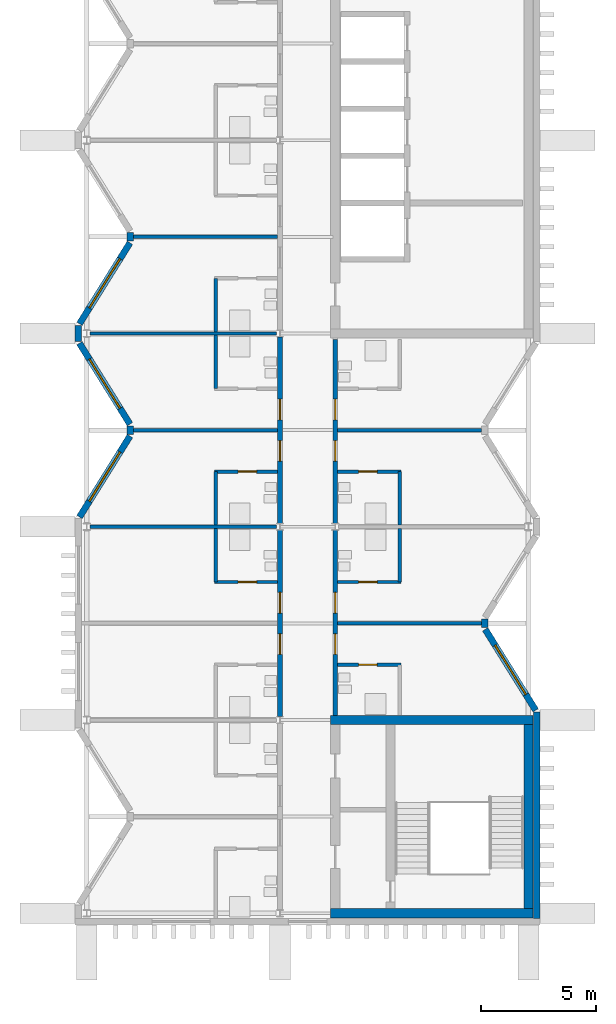
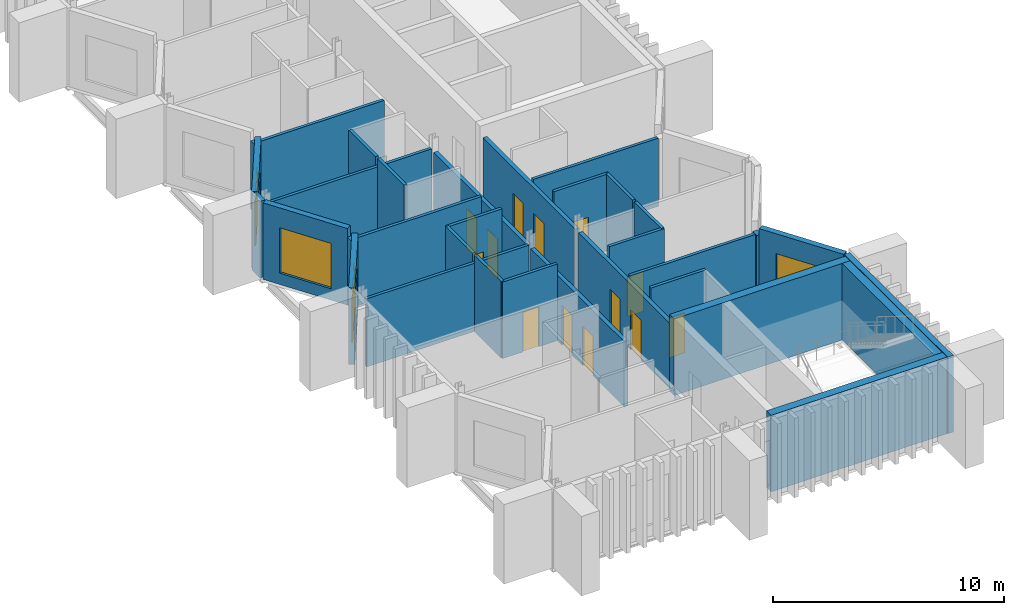
# One storey, part 5 of 11: 33 walls, 13 doors, 4 windows, 17 openings.
"""IFC4 building model written with IfcOpenShell, lengths in metres."""

from ifc_helpers import new_model, si_unit, direction, frame, frame_2d, origin, place, context, subcontext, project, spatial, rectangle, extrude, material, layer, layer_set, type_object, element, fill, save


model = new_model("IFC4")

# Units and contexts
model_context = context("Model", 3, precision=1e-05, world=origin(), true_north=direction((0.0, 1.0)))
body_context = subcontext(model_context, "Body", "Model", "MODEL_VIEW")
ifc_project = project(units=[si_unit("LENGTHUNIT", "METRE"), si_unit("AREAUNIT", "SQUARE_METRE"), si_unit("VOLUMEUNIT", "CUBIC_METRE"), si_unit("PLANEANGLEUNIT", "RADIAN"), si_unit("MASSUNIT", "GRAM", prefix="KILO")], contexts=[model_context])

# Site, building, storey
site_placement = place(None, origin())
site = spatial("IfcSite", under=ifc_project, at=site_placement, CompositionType="ELEMENT")
building_placement = place(site_placement, origin())
building = spatial("IfcBuilding", under=site, at=building_placement, Name="Cresset Court Congress Hotel", CompositionType="ELEMENT")
storey_placement = place(building_placement, frame((0.0, 0.0, 52.199951171875)))
storey = spatial("IfcBuildingStorey", under=building, at=storey_placement, Name="L12", CompositionType="ELEMENT", Elevation=52.199951171875)

# Wall, openings, doors
ifc_material_1 = material(Name="Gypsum board partition")
ifc_layer_1 = layer(ifc_material_1, 0.199951171875)
ifc_layer_set_1 = layer_set([ifc_layer_1], Name="Corridor wall 200")
wall_type_1 = type_object("IfcWallType", Name="Corridor wall 200", PredefinedType="PARTITIONING", material=ifc_layer_set_1)
wall_1_placement = place(storey_placement, frame((165.60009765625, 8.550048828125, 0.0), z_axis=(0.0, 0.0, 1.0), x_axis=(0.0, 1.0, 0.0)))
wall_1 = element("IfcWall", 1, at=wall_1_placement, inside=storey, type_object=wall_type_1, Name="A.wl.L12.071", PredefinedType="PARTITIONING", context=body_context, shape_type="SweptSolid", body=[
    extrude(rectangle(XDim=8.099853515625, YDim=0.199951171875, at=frame_2d((4.0498046875, 0.0))), origin(), (0.0, 0.0, 1.0), 3.449951171875),
])
opening_1_placement = place(wall_1_placement, frame((2.699951171875, 0.0, 0.0)))
opening_1 = element("IfcOpeningElement", 2, at=opening_1_placement, cuts=wall_1, Name="Opening DA-12-06", PredefinedType="OPENING", context=body_context, shape_type="SweptSolid", body=[
    extrude(rectangle(XDim=0.89990234375, YDim=2.10009765625, at=frame_2d((0.449951171875, 1.050048828125))), frame((0.0, 0.10986328125, 0.0), z_axis=(0.0, -1.0, 0.0), x_axis=(1.0, 0.0, 0.0)), (0.0, 0.0, 1.0), 0.219970703125),
])
opening_2_placement = place(wall_1_placement, frame((4.5, 0.0, 0.0)))
opening_2 = element("IfcOpeningElement", 3, at=opening_2_placement, cuts=wall_1, Name="Opening DA-12-08", PredefinedType="OPENING", context=body_context, shape_type="SweptSolid", body=[
    extrude(rectangle(XDim=0.89990234375, YDim=2.10009765625, at=frame_2d((0.449951171875, 1.050048828125))), frame((0.0, 0.10986328125, 0.0), z_axis=(0.0, -1.0, 0.0), x_axis=(1.0, 0.0, 0.0)), (0.0, 0.0, 1.0), 0.219970703125),
])
ifc_material_2 = material(Name="timber", Category="wood")
door_type_1 = type_object("IfcDoorType", Name="Guest-room entry door 900x2100 FD30S", OperationType="SINGLE_SWING_LEFT", PredefinedType="DOOR", material=ifc_material_2)
door_1_placement = place(opening_1_placement, origin())
door_1 = element("IfcDoor", 4, at=door_1_placement, inside=storey, type_object=door_type_1, Name="Door DA-12-06", OperationType="SINGLE_SWING_RIGHT", OverallHeight=2.10009765625, OverallWidth=0.89990234375, PredefinedType="DOOR", context=body_context, shape_type="SweptSolid", body=[
    extrude(rectangle(XDim=0.89990234375, YDim=2.10009765625, at=frame_2d((0.449951171875, 1.050048828125))), frame((0.0, 0.02490234375, 0.0), z_axis=(0.0, -1.0, 0.0), x_axis=(1.0, 0.0, 0.0)), (0.0, 0.0, 1.0), 0.050048828125),
])
fill(opening_1, door_1)
door_2_placement = place(opening_2_placement, origin())
door_2 = element("IfcDoor", 5, at=door_2_placement, inside=storey, type_object=door_type_1, Name="Door DA-12-08", OperationType="SINGLE_SWING_LEFT", OverallHeight=2.10009765625, OverallWidth=0.89990234375, PredefinedType="DOOR", context=body_context, shape_type="SweptSolid", body=[
    extrude(rectangle(XDim=0.89990234375, YDim=2.10009765625, at=frame_2d((0.449951171875, 1.050048828125))), frame((0.0, 0.02490234375, 0.0), z_axis=(0.0, -1.0, 0.0), x_axis=(1.0, 0.0, 0.0)), (0.0, 0.0, 1.0), 0.050048828125),
])
fill(opening_2, door_2)

wall_2_placement = place(storey_placement, frame((165.60009765625, 16.949951171875, 0.0), z_axis=(0.0, 0.0, 1.0), x_axis=(0.0, 1.0, 0.0)))
wall_2 = element("IfcWall", 6, at=wall_2_placement, inside=storey, type_object=wall_type_1, Name="A.wl.L12.072", PredefinedType="PARTITIONING", context=body_context, shape_type="SweptSolid", body=[
    extrude(rectangle(XDim=8.10009765625, YDim=0.199951171875, at=frame_2d((4.050048828125, 0.0))), origin(), (0.0, 0.0, 1.0), 3.449951171875),
])
opening_3_placement = place(wall_2_placement, frame((2.699951171875, 0.0, 0.0)))
opening_3 = element("IfcOpeningElement", 7, at=opening_3_placement, cuts=wall_2, Name="Opening DA-12-10", PredefinedType="OPENING", context=body_context, shape_type="SweptSolid", body=[
    extrude(rectangle(XDim=0.89990234375, YDim=2.10009765625, at=frame_2d((0.449951171875, 1.050048828125))), frame((0.0, 0.10986328125, 0.0), z_axis=(0.0, -1.0, 0.0), x_axis=(1.0, 0.0, 0.0)), (0.0, 0.0, 1.0), 0.219970703125),
])
opening_4_placement = place(wall_2_placement, frame((4.5, 0.0, 0.0)))
opening_4 = element("IfcOpeningElement", 8, at=opening_4_placement, cuts=wall_2, Name="Opening DA-12-12", PredefinedType="OPENING", context=body_context, shape_type="SweptSolid", body=[
    extrude(rectangle(XDim=0.89990234375, YDim=2.10009765625, at=frame_2d((0.449951171875, 1.050048828125))), frame((0.0, 0.10986328125, 0.0), z_axis=(0.0, -1.0, 0.0), x_axis=(1.0, 0.0, 0.0)), (0.0, 0.0, 1.0), 0.219970703125),
])
door_3_placement = place(opening_3_placement, origin())
door_3 = element("IfcDoor", 9, at=door_3_placement, inside=storey, type_object=door_type_1, Name="Door DA-12-10", OperationType="SINGLE_SWING_RIGHT", OverallHeight=2.10009765625, OverallWidth=0.89990234375, PredefinedType="DOOR", context=body_context, shape_type="SweptSolid", body=[
    extrude(rectangle(XDim=0.89990234375, YDim=2.10009765625, at=frame_2d((0.449951171875, 1.050048828125))), frame((0.0, 0.02490234375, 0.0), z_axis=(0.0, -1.0, 0.0), x_axis=(1.0, 0.0, 0.0)), (0.0, 0.0, 1.0), 0.050048828125),
])
fill(opening_3, door_3)
door_4_placement = place(opening_4_placement, origin())
door_4 = element("IfcDoor", 10, at=door_4_placement, inside=storey, type_object=door_type_1, Name="Door DA-12-12", OperationType="SINGLE_SWING_LEFT", OverallHeight=2.10009765625, OverallWidth=0.89990234375, PredefinedType="DOOR", context=body_context, shape_type="SweptSolid", body=[
    extrude(rectangle(XDim=0.89990234375, YDim=2.10009765625, at=frame_2d((0.449951171875, 1.050048828125))), frame((0.0, 0.02490234375, 0.0), z_axis=(0.0, -1.0, 0.0), x_axis=(1.0, 0.0, 0.0)), (0.0, 0.0, 1.0), 0.050048828125),
])
fill(opening_4, door_4)

wall_3_placement = place(storey_placement, frame((168.0, 8.60009765625, 0.0), z_axis=(0.0, 0.0, 1.0), x_axis=(0.0, 1.0, 0.0)))
wall_3 = element("IfcWall", 11, at=wall_3_placement, inside=storey, type_object=wall_type_1, Name="A.wl.L12.078", PredefinedType="PARTITIONING", context=body_context, shape_type="SweptSolid", body=[
    extrude(rectangle(XDim=8.0498046875, YDim=0.199951171875, at=frame_2d((4.02490234375, 0.0))), origin(), (0.0, 0.0, 1.0), 3.449951171875),
])
opening_5_placement = place(wall_3_placement, frame((2.64990234375, 0.0, 0.0)))
opening_5 = element("IfcOpeningElement", 12, at=opening_5_placement, cuts=wall_3, Name="Opening DA-12-34", PredefinedType="OPENING", context=body_context, shape_type="SweptSolid", body=[
    extrude(rectangle(XDim=0.89990234375, YDim=2.10009765625, at=frame_2d((0.449951171875, 1.050048828125))), frame((0.0, 0.10986328125, 0.0), z_axis=(0.0, -1.0, 0.0), x_axis=(1.0, 0.0, 0.0)), (0.0, 0.0, 1.0), 0.219970703125),
])
opening_6_placement = place(wall_3_placement, frame((4.449951171875, 0.0, 0.0)))
opening_6 = element("IfcOpeningElement", 13, at=opening_6_placement, cuts=wall_3, Name="Opening DA-12-36", PredefinedType="OPENING", context=body_context, shape_type="SweptSolid", body=[
    extrude(rectangle(XDim=0.89990234375, YDim=2.10009765625, at=frame_2d((0.449951171875, 1.050048828125))), frame((0.0, 0.10986328125, 0.0), z_axis=(0.0, -1.0, 0.0), x_axis=(1.0, 0.0, 0.0)), (0.0, 0.0, 1.0), 0.219970703125),
])
door_5_placement = place(opening_5_placement, origin())
door_5 = element("IfcDoor", 14, at=door_5_placement, inside=storey, type_object=door_type_1, Name="Door DA-12-34", OperationType="SINGLE_SWING_RIGHT", OverallHeight=2.10009765625, OverallWidth=0.89990234375, PredefinedType="DOOR", context=body_context, shape_type="SweptSolid", body=[
    extrude(rectangle(XDim=0.89990234375, YDim=2.10009765625, at=frame_2d((0.449951171875, 1.050048828125))), frame((0.0, 0.02490234375, 0.0), z_axis=(0.0, -1.0, 0.0), x_axis=(1.0, 0.0, 0.0)), (0.0, 0.0, 1.0), 0.050048828125),
])
fill(opening_5, door_5)
door_6_placement = place(opening_6_placement, origin())
door_6 = element("IfcDoor", 15, at=door_6_placement, inside=storey, type_object=door_type_1, Name="Door DA-12-36", OperationType="SINGLE_SWING_LEFT", OverallHeight=2.10009765625, OverallWidth=0.89990234375, PredefinedType="DOOR", context=body_context, shape_type="SweptSolid", body=[
    extrude(rectangle(XDim=0.89990234375, YDim=2.10009765625, at=frame_2d((0.449951171875, 1.050048828125))), frame((0.0, 0.02490234375, 0.0), z_axis=(0.0, -1.0, 0.0), x_axis=(1.0, 0.0, 0.0)), (0.0, 0.0, 1.0), 0.050048828125),
])
fill(opening_6, door_6)

wall_4_placement = place(storey_placement, frame((168.0, 16.949951171875, 0.0), z_axis=(0.0, 0.0, 1.0), x_axis=(0.0, 1.0, 0.0)))
wall_4 = element("IfcWall", 16, at=wall_4_placement, inside=storey, type_object=wall_type_1, Name="A.wl.L12.079", PredefinedType="PARTITIONING", context=body_context, shape_type="SweptSolid", body=[
    extrude(rectangle(XDim=8.0, YDim=0.199951171875, at=frame_2d((4.0, 0.0))), origin(), (0.0, 0.0, 1.0), 3.449951171875),
])
opening_7_placement = place(wall_4_placement, frame((2.699951171875, 0.0, 0.0)))
opening_7 = element("IfcOpeningElement", 17, at=opening_7_placement, cuts=wall_4, Name="Opening DA-12-38", PredefinedType="OPENING", context=body_context, shape_type="SweptSolid", body=[
    extrude(rectangle(XDim=0.89990234375, YDim=2.10009765625, at=frame_2d((0.449951171875, 1.050048828125))), frame((0.0, 0.10986328125, 0.0), z_axis=(0.0, -1.0, 0.0), x_axis=(1.0, 0.0, 0.0)), (0.0, 0.0, 1.0), 0.219970703125),
])
opening_8_placement = place(wall_4_placement, frame((4.5, 0.0, 0.0)))
opening_8 = element("IfcOpeningElement", 18, at=opening_8_placement, cuts=wall_4, Name="Opening DA-12-40", PredefinedType="OPENING", context=body_context, shape_type="SweptSolid", body=[
    extrude(rectangle(XDim=0.89990234375, YDim=2.10009765625, at=frame_2d((0.449951171875, 1.050048828125))), frame((0.0, 0.10986328125, 0.0), z_axis=(0.0, -1.0, 0.0), x_axis=(1.0, 0.0, 0.0)), (0.0, 0.0, 1.0), 0.219970703125),
])
door_7_placement = place(opening_7_placement, origin())
door_7 = element("IfcDoor", 19, at=door_7_placement, inside=storey, type_object=door_type_1, Name="Door DA-12-38", OperationType="SINGLE_SWING_RIGHT", OverallHeight=2.10009765625, OverallWidth=0.89990234375, PredefinedType="DOOR", context=body_context, shape_type="SweptSolid", body=[
    extrude(rectangle(XDim=0.89990234375, YDim=2.10009765625, at=frame_2d((0.449951171875, 1.050048828125))), frame((0.0, 0.02490234375, 0.0), z_axis=(0.0, -1.0, 0.0), x_axis=(1.0, 0.0, 0.0)), (0.0, 0.0, 1.0), 0.050048828125),
])
fill(opening_7, door_7)
door_8_placement = place(opening_8_placement, origin())
door_8 = element("IfcDoor", 20, at=door_8_placement, inside=storey, type_object=door_type_1, Name="Door DA-12-40", OperationType="SINGLE_SWING_LEFT", OverallHeight=2.10009765625, OverallWidth=0.89990234375, PredefinedType="DOOR", context=body_context, shape_type="SweptSolid", body=[
    extrude(rectangle(XDim=0.89990234375, YDim=2.10009765625, at=frame_2d((0.449951171875, 1.050048828125))), frame((0.0, 0.02490234375, 0.0), z_axis=(0.0, -1.0, 0.0), x_axis=(1.0, 0.0, 0.0)), (0.0, 0.0, 1.0), 0.050048828125),
])
fill(opening_8, door_8)

# Wall
ifc_material_3 = material(Name="Gypsum board partition")
ifc_layer_2 = layer(ifc_material_3, 0.14990234375)
ifc_layer_set_2 = layer_set([ifc_layer_2], Name="En-suite wall 150")
wall_type_2 = type_object("IfcWallType", Name="En-suite wall 150", PredefinedType="PARTITIONING", material=ifc_layer_set_2)
wall_5_placement = place(storey_placement, frame((162.800048828125, 14.39990234375, 0.0), z_axis=(0.0, 0.0, 1.0), x_axis=(0.0, 1.0, 0.0)))
element("IfcWall", 21, at=wall_5_placement, inside=storey, type_object=wall_type_2, Name="A.wl.L12.007", PredefinedType="PARTITIONING", context=body_context, shape_type="SweptSolid", body=[
    extrude(rectangle(XDim=2.3251953125, YDim=0.14990234375, at=frame_2d((1.16259765625, 0.0))), origin(), (0.0, 0.0, 1.0), 4.050048828125),
])

# Wall, opening, door
wall_6_placement = place(storey_placement, frame((162.75, 14.39990234375, 0.0), z_axis=(0.0, 0.0, 1.0), x_axis=(1.0, 0.0, 0.0)))
wall_6 = element("IfcWall", 22, at=wall_6_placement, inside=storey, type_object=wall_type_2, Name="A.wl.L12.008", PredefinedType="PARTITIONING", context=body_context, shape_type="SweptSolid", body=[
    extrude(rectangle(XDim=2.75, YDim=0.14990234375, at=frame_2d((1.375, 0.0))), origin(), (0.0, 0.0, 1.0), 4.050048828125),
])
opening_9_placement = place(wall_6_placement, frame((1.030029296875, 0.0, 0.0)))
opening_9 = element("IfcOpeningElement", 23, at=opening_9_placement, cuts=wall_6, Name="Opening DA-12-07", PredefinedType="OPENING", context=body_context, shape_type="SweptSolid", body=[
    extrude(rectangle(XDim=0.800048828125, YDim=2.10009765625, at=frame_2d((0.39990234375, 1.050048828125))), frame((0.0, 0.0849609375, 0.0), z_axis=(0.0, -1.0, 0.0), x_axis=(1.0, 0.0, 0.0)), (0.0, 0.0, 1.0), 0.169921875),
])
ifc_material_4 = material(Name="timber", Category="wood")
door_type_2 = type_object("IfcDoorType", Name="En-suite door 800x2100", OperationType="SINGLE_SWING_LEFT", PredefinedType="DOOR", material=ifc_material_4)
door_9_placement = place(opening_9_placement, origin())
door_9 = element("IfcDoor", 24, at=door_9_placement, inside=storey, type_object=door_type_2, Name="Door DA-12-07", OperationType="SINGLE_SWING_LEFT", OverallHeight=2.10009765625, OverallWidth=0.800048828125, PredefinedType="DOOR", context=body_context, shape_type="SweptSolid", body=[
    extrude(rectangle(XDim=0.800048828125, YDim=2.10009765625, at=frame_2d((0.39990234375, 1.050048828125))), frame((0.0, 0.02490234375, 0.0), z_axis=(0.0, -1.0, 0.0), x_axis=(1.0, 0.0, 0.0)), (0.0, 0.0, 1.0), 0.050048828125),
])
fill(opening_9, door_9)

# Wall
wall_7_placement = place(storey_placement, frame((162.800048828125, 16.875, 0.0), z_axis=(0.0, 0.0, 1.0), x_axis=(0.0, 1.0, 0.0)))
element("IfcWall", 25, at=wall_7_placement, inside=storey, type_object=wall_type_2, Name="A.wl.L12.009", PredefinedType="PARTITIONING", context=body_context, shape_type="SweptSolid", body=[
    extrude(rectangle(XDim=2.324951171875, YDim=0.14990234375, at=frame_2d((1.16259765625, 0.0))), origin(), (0.0, 0.0, 1.0), 4.050048828125),
])

# Wall, opening, door
wall_8_placement = place(storey_placement, frame((162.75, 19.199951171875, 0.0), z_axis=(0.0, 0.0, 1.0), x_axis=(1.0, 0.0, 0.0)))
wall_8 = element("IfcWall", 26, at=wall_8_placement, inside=storey, type_object=wall_type_2, Name="A.wl.L12.010", PredefinedType="PARTITIONING", context=body_context, shape_type="SweptSolid", body=[
    extrude(rectangle(XDim=2.75, YDim=0.14990234375, at=frame_2d((1.375, 0.0))), origin(), (0.0, 0.0, 1.0), 4.050048828125),
])
opening_10_placement = place(wall_8_placement, frame((1.030029296875, 0.0, 0.0)))
opening_10 = element("IfcOpeningElement", 27, at=opening_10_placement, cuts=wall_8, Name="Opening DA-12-09", PredefinedType="OPENING", context=body_context, shape_type="SweptSolid", body=[
    extrude(rectangle(XDim=0.800048828125, YDim=2.10009765625, at=frame_2d((0.39990234375, 1.050048828125))), frame((0.0, 0.0849609375, 0.0), z_axis=(0.0, -1.0, 0.0), x_axis=(1.0, 0.0, 0.0)), (0.0, 0.0, 1.0), 0.169921875),
])
door_10_placement = place(opening_10_placement, origin())
door_10 = element("IfcDoor", 28, at=door_10_placement, inside=storey, type_object=door_type_2, Name="Door DA-12-09", OperationType="SINGLE_SWING_RIGHT", OverallHeight=2.10009765625, OverallWidth=0.800048828125, PredefinedType="DOOR", context=body_context, shape_type="SweptSolid", body=[
    extrude(rectangle(XDim=0.800048828125, YDim=2.10009765625, at=frame_2d((0.39990234375, 1.050048828125))), frame((0.0, 0.02490234375, 0.0), z_axis=(0.0, -1.0, 0.0), x_axis=(1.0, 0.0, 0.0)), (0.0, 0.0, 1.0), 0.050048828125),
])
fill(opening_10, door_10)

# Walls
wall_9_placement = place(storey_placement, frame((162.800048828125, 22.800048828125, 0.0), z_axis=(0.0, 0.0, 1.0), x_axis=(0.0, 1.0, 0.0)))
element("IfcWall", 29, at=wall_9_placement, inside=storey, type_object=wall_type_2, Name="A.wl.L12.011", PredefinedType="PARTITIONING", context=body_context, shape_type="SweptSolid", body=[
    extrude(rectangle(XDim=2.324951171875, YDim=0.14990234375, at=frame_2d((1.16259765625, 0.0))), origin(), (0.0, 0.0, 1.0), 4.050048828125),
])
wall_10_placement = place(storey_placement, frame((162.800048828125, 25.27490234375, 0.0), z_axis=(0.0, 0.0, 1.0), x_axis=(0.0, 1.0, 0.0)))
element("IfcWall", 30, at=wall_10_placement, inside=storey, type_object=wall_type_2, Name="A.wl.L12.013", PredefinedType="PARTITIONING", context=body_context, shape_type="SweptSolid", body=[
    extrude(rectangle(XDim=2.3251953125, YDim=0.14990234375, at=frame_2d((1.16259765625, 0.0))), origin(), (0.0, 0.0, 1.0), 4.050048828125),
])

# Wall, opening, door
wall_11_placement = place(storey_placement, frame((170.85009765625, 10.800048828125, 0.0), z_axis=(0.0, 0.0, 1.0), x_axis=(-1.0, 0.0, 0.0)))
wall_11 = element("IfcWall", 31, at=wall_11_placement, inside=storey, type_object=wall_type_2, Name="A.wl.L12.034", PredefinedType="PARTITIONING", context=body_context, shape_type="SweptSolid", body=[
    extrude(rectangle(XDim=2.75, YDim=0.14990234375, at=frame_2d((1.375, 0.0))), origin(), (0.0, 0.0, 1.0), 4.050048828125),
])
opening_11_placement = place(wall_11_placement, frame((1.030029296875, 0.0, 0.0)))
opening_11 = element("IfcOpeningElement", 32, at=opening_11_placement, cuts=wall_11, Name="Opening DA-12-33", PredefinedType="OPENING", context=body_context, shape_type="SweptSolid", body=[
    extrude(rectangle(XDim=0.800048828125, YDim=2.10009765625, at=frame_2d((0.39990234375, 1.050048828125))), frame((0.0, 0.0849609375, 0.0), z_axis=(0.0, -1.0, 0.0), x_axis=(1.0, 0.0, 0.0)), (0.0, 0.0, 1.0), 0.169921875),
])
door_11_placement = place(opening_11_placement, origin())
door_11 = element("IfcDoor", 33, at=door_11_placement, inside=storey, type_object=door_type_2, Name="Door DA-12-33", OperationType="SINGLE_SWING_RIGHT", OverallHeight=2.10009765625, OverallWidth=0.800048828125, PredefinedType="DOOR", context=body_context, shape_type="SweptSolid", body=[
    extrude(rectangle(XDim=0.800048828125, YDim=2.10009765625, at=frame_2d((0.39990234375, 1.050048828125))), frame((0.0, 0.02490234375, 0.0), z_axis=(0.0, -1.0, 0.0), x_axis=(1.0, 0.0, 0.0)), (0.0, 0.0, 1.0), 0.050048828125),
])
fill(opening_11, door_11)

# Wall
wall_12_placement = place(storey_placement, frame((170.800048828125, 14.39990234375, 0.0), z_axis=(0.0, 0.0, 1.0), x_axis=(0.0, 1.0, 0.0)))
element("IfcWall", 34, at=wall_12_placement, inside=storey, type_object=wall_type_2, Name="A.wl.L12.035", PredefinedType="PARTITIONING", context=body_context, shape_type="SweptSolid", body=[
    extrude(rectangle(XDim=2.3251953125, YDim=0.14990234375, at=frame_2d((1.16259765625, 0.0))), origin(), (0.0, 0.0, 1.0), 4.050048828125),
])

# Wall, opening, door
wall_13_placement = place(storey_placement, frame((170.85009765625, 14.39990234375, 0.0), z_axis=(0.0, 0.0, 1.0), x_axis=(-1.0, 0.0, 0.0)))
wall_13 = element("IfcWall", 35, at=wall_13_placement, inside=storey, type_object=wall_type_2, Name="A.wl.L12.036", PredefinedType="PARTITIONING", context=body_context, shape_type="SweptSolid", body=[
    extrude(rectangle(XDim=2.75, YDim=0.14990234375, at=frame_2d((1.375, 0.0))), origin(), (0.0, 0.0, 1.0), 4.050048828125),
])
opening_12_placement = place(wall_13_placement, frame((1.030029296875, 0.0, 0.0)))
opening_12 = element("IfcOpeningElement", 36, at=opening_12_placement, cuts=wall_13, Name="Opening DA-12-35", PredefinedType="OPENING", context=body_context, shape_type="SweptSolid", body=[
    extrude(rectangle(XDim=0.800048828125, YDim=2.10009765625, at=frame_2d((0.39990234375, 1.050048828125))), frame((0.0, 0.0849609375, 0.0), z_axis=(0.0, -1.0, 0.0), x_axis=(1.0, 0.0, 0.0)), (0.0, 0.0, 1.0), 0.169921875),
])
door_12_placement = place(opening_12_placement, origin())
door_12 = element("IfcDoor", 37, at=door_12_placement, inside=storey, type_object=door_type_2, Name="Door DA-12-35", OperationType="SINGLE_SWING_LEFT", OverallHeight=2.10009765625, OverallWidth=0.800048828125, PredefinedType="DOOR", context=body_context, shape_type="SweptSolid", body=[
    extrude(rectangle(XDim=0.800048828125, YDim=2.10009765625, at=frame_2d((0.39990234375, 1.050048828125))), frame((0.0, 0.02490234375, 0.0), z_axis=(0.0, -1.0, 0.0), x_axis=(1.0, 0.0, 0.0)), (0.0, 0.0, 1.0), 0.050048828125),
])
fill(opening_12, door_12)

# Wall
wall_14_placement = place(storey_placement, frame((170.800048828125, 16.875, 0.0), z_axis=(0.0, 0.0, 1.0), x_axis=(0.0, 1.0, 0.0)))
element("IfcWall", 38, at=wall_14_placement, inside=storey, type_object=wall_type_2, Name="A.wl.L12.037", PredefinedType="PARTITIONING", context=body_context, shape_type="SweptSolid", body=[
    extrude(rectangle(XDim=2.324951171875, YDim=0.14990234375, at=frame_2d((1.16259765625, 0.0))), origin(), (0.0, 0.0, 1.0), 4.050048828125),
])

# Wall, opening, door
wall_15_placement = place(storey_placement, frame((170.85009765625, 19.199951171875, 0.0), z_axis=(0.0, 0.0, 1.0), x_axis=(-1.0, 0.0, 0.0)))
wall_15 = element("IfcWall", 39, at=wall_15_placement, inside=storey, type_object=wall_type_2, Name="A.wl.L12.038", PredefinedType="PARTITIONING", context=body_context, shape_type="SweptSolid", body=[
    extrude(rectangle(XDim=2.75, YDim=0.14990234375, at=frame_2d((1.375, 0.0))), origin(), (0.0, 0.0, 1.0), 4.050048828125),
])
opening_13_placement = place(wall_15_placement, frame((1.030029296875, 0.0, 0.0)))
opening_13 = element("IfcOpeningElement", 40, at=opening_13_placement, cuts=wall_15, Name="Opening DA-12-37", PredefinedType="OPENING", context=body_context, shape_type="SweptSolid", body=[
    extrude(rectangle(XDim=0.800048828125, YDim=2.10009765625, at=frame_2d((0.39990234375, 1.050048828125))), frame((0.0, 0.0849609375, 0.0), z_axis=(0.0, -1.0, 0.0), x_axis=(1.0, 0.0, 0.0)), (0.0, 0.0, 1.0), 0.169921875),
])
door_13_placement = place(opening_13_placement, origin())
door_13 = element("IfcDoor", 41, at=door_13_placement, inside=storey, type_object=door_type_2, Name="Door DA-12-37", OperationType="SINGLE_SWING_RIGHT", OverallHeight=2.10009765625, OverallWidth=0.800048828125, PredefinedType="DOOR", context=body_context, shape_type="SweptSolid", body=[
    extrude(rectangle(XDim=0.800048828125, YDim=2.10009765625, at=frame_2d((0.39990234375, 1.050048828125))), frame((0.0, 0.02490234375, 0.0), z_axis=(0.0, -1.0, 0.0), x_axis=(1.0, 0.0, 0.0)), (0.0, 0.0, 1.0), 0.050048828125),
])
fill(opening_13, door_13)

# Wall, opening, window
ifc_material_5 = material(Name="Precast concrete C50", Category="concrete")
ifc_layer_3 = layer(ifc_material_5, 0.280029296875)
ifc_layer_set_3 = layer_set([ifc_layer_3], Name="External wall 280")
wall_type_3 = type_object("IfcWallType", Name="External wall 280", PredefinedType="SOLIDWALL", material=ifc_layer_set_3)
wall_16_placement = place(storey_placement, frame((156.88623046875, 17.22412109375, 0.0), z_axis=(0.0, 0.0, 1.0), x_axis=(0.529018946142, 0.848610013271, 0.0)))
wall_16 = element("IfcWall", 42, at=wall_16_placement, inside=storey, type_object=wall_type_3, Name="A.ew.L12.Wn.2.0", PredefinedType="SOLIDWALL", context=body_context, shape_type="SweptSolid", body=[
    extrude(rectangle(XDim=4.144287109375, YDim=0.280029296875, at=frame_2d((2.072265625, 0.0))), origin(), (0.0, 0.0, 1.0), 4.050048828125),
])
opening_14_placement = place(wall_16_placement, frame((0.812255859375, 0.0, 0.60009765625)))
opening_14 = element("IfcOpeningElement", 43, at=opening_14_placement, cuts=wall_16, Name="Opening NA-12-05", PredefinedType="OPENING", context=body_context, shape_type="SweptSolid", body=[
    extrude(rectangle(XDim=2.52001953125, YDim=2.39990234375, at=frame_2d((1.260009765625, 1.199951171875))), frame((0.0, 0.14990234375, 0.0), z_axis=(0.0, -1.0, 0.0), x_axis=(1.0, 0.0, 0.0)), (0.0, 0.0, 1.0), 0.300048828125),
])
ifc_material_6 = material(Name="Aluminium and glass", Category="aluminium")
window_type = type_object("IfcWindowType", Name="Window 2520x2400", PartitioningType="SINGLE_PANEL", PredefinedType="WINDOW", material=ifc_material_6)
window_1_placement = place(opening_14_placement, origin())
window_1 = element("IfcWindow", 44, at=window_1_placement, inside=storey, type_object=window_type, Name="Window NA-12-05", OverallHeight=2.39990234375, OverallWidth=2.52001953125, PartitioningType="SINGLE_PANEL", PredefinedType="WINDOW", context=body_context, shape_type="SweptSolid", body=[
    extrude(rectangle(XDim=2.52001953125, YDim=2.39990234375, at=frame_2d((1.260009765625, 1.199951171875))), frame((0.0, 0.030029296875, 0.0), z_axis=(0.0, -1.0, 0.0), x_axis=(1.0, 0.0, 0.0)), (0.0, 0.0, 1.0), 0.06005859375),
])
fill(opening_14, window_1)

wall_17_placement = place(storey_placement, frame((159.07861328125, 21.259033203125, 0.0), z_axis=(0.0, 0.0, 1.0), x_axis=(-0.529018946142, 0.848610013271, 0.0)))
wall_17 = element("IfcWall", 45, at=wall_17_placement, inside=storey, type_object=wall_type_3, Name="A.ew.L12.Wn.2.1", PredefinedType="SOLIDWALL", context=body_context, shape_type="SweptSolid", body=[
    extrude(rectangle(XDim=4.144287109375, YDim=0.280029296875, at=frame_2d((2.072265625, 0.0))), origin(), (0.0, 0.0, 1.0), 4.050048828125),
])
opening_15_placement = place(wall_17_placement, frame((0.812255859375, 0.0, 0.60009765625)))
opening_15 = element("IfcOpeningElement", 46, at=opening_15_placement, cuts=wall_17, Name="Opening NA-12-06", PredefinedType="OPENING", context=body_context, shape_type="SweptSolid", body=[
    extrude(rectangle(XDim=2.52001953125, YDim=2.39990234375, at=frame_2d((1.260009765625, 1.199951171875))), frame((0.0, 0.14990234375, 0.0), z_axis=(0.0, -1.0, 0.0), x_axis=(1.0, 0.0, 0.0)), (0.0, 0.0, 1.0), 0.300048828125),
])
window_2_placement = place(opening_15_placement, origin())
window_2 = element("IfcWindow", 47, at=window_2_placement, inside=storey, type_object=window_type, Name="Window NA-12-06", OverallHeight=2.39990234375, OverallWidth=2.52001953125, PartitioningType="SINGLE_PANEL", PredefinedType="WINDOW", context=body_context, shape_type="SweptSolid", body=[
    extrude(rectangle(XDim=2.52001953125, YDim=2.39990234375, at=frame_2d((1.260009765625, 1.199951171875))), frame((0.0, 0.030029296875, 0.0), z_axis=(0.0, -1.0, 0.0), x_axis=(1.0, 0.0, 0.0)), (0.0, 0.0, 1.0), 0.06005859375),
])
fill(opening_15, window_2)

# Walls
wall_18_placement = place(storey_placement, frame((159.099609375, 20.815185546875, 0.0), z_axis=(0.0, 0.0, 1.0), x_axis=(0.0, 1.0, 0.0)))
element("IfcWall", 48, at=wall_18_placement, inside=storey, type_object=wall_type_3, Name="A.ew.L12.Wn.2.2", PredefinedType="SOLIDWALL", context=body_context, shape_type="SweptSolid", body=[
    extrude(rectangle(XDim=0.36962890625, YDim=0.280029296875, at=frame_2d((0.184814453125, 0.0))), origin(), (0.0, 0.0, 1.0), 3.60400390625),
])
wall_19_placement = place(storey_placement, frame((156.840087890625, 24.85009765625, 0.0), z_axis=(0.0, 0.0, 1.0), x_axis=(0.0, 1.0, 0.0)))
element("IfcWall", 49, at=wall_19_placement, inside=storey, type_object=wall_type_3, Name="A.ew.L12.W.3", PredefinedType="SOLIDWALL", context=body_context, shape_type="SweptSolid", body=[
    extrude(rectangle(XDim=0.699951171875, YDim=0.280029296875, at=frame_2d((0.35009765625, 0.0))), origin(), (0.0, 0.0, 1.0), 4.050048828125),
])

# Wall, opening, window
wall_20_placement = place(storey_placement, frame((156.88623046875, 25.6240234375, 0.0), z_axis=(0.0, 0.0, 1.0), x_axis=(0.528992500338, 0.848626498871, 0.0)))
wall_20 = element("IfcWall", 50, at=wall_20_placement, inside=storey, type_object=wall_type_3, Name="A.ew.L12.Wn.3.0", PredefinedType="SOLIDWALL", context=body_context, shape_type="SweptSolid", body=[
    extrude(rectangle(XDim=4.14453125, YDim=0.280029296875, at=frame_2d((2.072265625, 0.0))), origin(), (0.0, 0.0, 1.0), 4.050048828125),
])
opening_16_placement = place(wall_20_placement, frame((0.812255859375, 0.0, 0.60009765625)))
opening_16 = element("IfcOpeningElement", 51, at=opening_16_placement, cuts=wall_20, Name="Opening NA-12-07", PredefinedType="OPENING", context=body_context, shape_type="SweptSolid", body=[
    extrude(rectangle(XDim=2.52001953125, YDim=2.39990234375, at=frame_2d((1.260009765625, 1.199951171875))), frame((0.0, 0.14990234375, 0.0), z_axis=(0.0, -1.0, 0.0), x_axis=(1.0, 0.0, 0.0)), (0.0, 0.0, 1.0), 0.300048828125),
])
window_3_placement = place(opening_16_placement, origin())
window_3 = element("IfcWindow", 52, at=window_3_placement, inside=storey, type_object=window_type, Name="Window NA-12-07", OverallHeight=2.39990234375, OverallWidth=2.52001953125, PartitioningType="SINGLE_PANEL", PredefinedType="WINDOW", context=body_context, shape_type="SweptSolid", body=[
    extrude(rectangle(XDim=2.52001953125, YDim=2.39990234375, at=frame_2d((1.260009765625, 1.199951171875))), frame((0.0, 0.030029296875, 0.0), z_axis=(0.0, -1.0, 0.0), x_axis=(1.0, 0.0, 0.0)), (0.0, 0.0, 1.0), 0.06005859375),
])
fill(opening_16, window_3)

# Walls
wall_21_placement = place(storey_placement, frame((159.099609375, 29.215087890625, 0.0), z_axis=(0.0, 0.0, 1.0), x_axis=(0.0, 1.0, 0.0)))
element("IfcWall", 53, at=wall_21_placement, inside=storey, type_object=wall_type_3, Name="A.ew.L12.Wn.3.2", PredefinedType="SOLIDWALL", context=body_context, shape_type="SweptSolid", body=[
    extrude(rectangle(XDim=0.369873046875, YDim=0.280029296875, at=frame_2d((0.18505859375, 0.0))), origin(), (0.0, 0.0, 1.0), 3.60400390625),
])
wall_22_placement = place(storey_placement, frame((176.760009765625, -0.219970703125, 0.0), z_axis=(0.0, 0.0, 1.0), x_axis=(0.0, 1.0, 0.0)))
element("IfcWall", 54, at=wall_22_placement, inside=storey, type_object=wall_type_3, Name="A.ew.L12.E.1", PredefinedType="SOLIDWALL", context=body_context, shape_type="SweptSolid", body=[
    extrude(rectangle(XDim=8.969970703125, YDim=0.280029296875, at=frame_2d((4.48486328125, 0.0))), origin(), (0.0, 0.0, 1.0), 4.050048828125),
])

# Wall, opening, window
wall_23_placement = place(storey_placement, frame((176.7138671875, 8.82421875, 0.0), z_axis=(0.0, 0.0, 1.0), x_axis=(-0.529018946142, 0.848610013271, 0.0)))
wall_23 = element("IfcWall", 55, at=wall_23_placement, inside=storey, type_object=wall_type_3, Name="A.ew.L12.En.1.0", PredefinedType="SOLIDWALL", context=body_context, shape_type="SweptSolid", body=[
    extrude(rectangle(XDim=4.144287109375, YDim=0.280029296875, at=frame_2d((2.072265625, 0.0))), origin(), (0.0, 0.0, 1.0), 4.050048828125),
])
opening_17_placement = place(wall_23_placement, frame((0.81201171875, 0.0, 0.60009765625)))
opening_17 = element("IfcOpeningElement", 56, at=opening_17_placement, cuts=wall_23, Name="Opening NA-12-17", PredefinedType="OPENING", context=body_context, shape_type="SweptSolid", body=[
    extrude(rectangle(XDim=2.52001953125, YDim=2.39990234375, at=frame_2d((1.260009765625, 1.199951171875))), frame((0.0, 0.14990234375, 0.0), z_axis=(0.0, -1.0, 0.0), x_axis=(1.0, 0.0, 0.0)), (0.0, 0.0, 1.0), 0.300048828125),
])
window_4_placement = place(opening_17_placement, origin())
window_4 = element("IfcWindow", 57, at=window_4_placement, inside=storey, type_object=window_type, Name="Window NA-12-17", OverallHeight=2.39990234375, OverallWidth=2.52001953125, PartitioningType="SINGLE_PANEL", PredefinedType="WINDOW", context=body_context, shape_type="SweptSolid", body=[
    extrude(rectangle(XDim=2.52001953125, YDim=2.39990234375, at=frame_2d((1.260009765625, 1.199951171875))), frame((0.0, 0.030029296875, 0.0), z_axis=(0.0, -1.0, 0.0), x_axis=(1.0, 0.0, 0.0)), (0.0, 0.0, 1.0), 0.06005859375),
])
fill(opening_17, window_4)

# Walls
wall_24_placement = place(storey_placement, frame((174.500244140625, 12.4150390625, 0.0), z_axis=(0.0, 0.0, 1.0), x_axis=(0.0, 1.0, 0.0)))
element("IfcWall", 58, at=wall_24_placement, inside=storey, type_object=wall_type_3, Name="A.ew.L12.En.1.2", PredefinedType="SOLIDWALL", context=body_context, shape_type="SweptSolid", body=[
    extrude(rectangle(XDim=0.369873046875, YDim=0.280029296875, at=frame_2d((0.18505859375, 0.0))), origin(), (0.0, 0.0, 1.0), 3.60400390625),
])
ifc_material_7 = material(Name="Gypsum board partition")
ifc_layer_4 = layer(ifc_material_7, 0.14990234375)
ifc_layer_set_4 = layer_set([ifc_layer_4], Name="Guest-room partition 150")
wall_type_4 = type_object("IfcWallType", Name="Guest-room partition 150", PredefinedType="PARTITIONING", material=ifc_layer_set_4)
for number, where, z_axis, x_axis, name in (
    (59, (157.35009765625, 16.800048828125, 0.0), (0.0, 0.0, 1.0), (1.0, 0.0, 0.0), "A.wl.L12.050"),
    (60, (157.35009765625, 25.199951171875, 0.0), (0.0, 0.0, 1.0), (1.0, 0.0, 0.0), "A.wl.L12.051"),
):
    element("IfcWall", number, at=place(storey_placement, frame(where, z_axis=z_axis, x_axis=x_axis)), inside=storey, type_object=wall_type_4, Name=name, PredefinedType="PARTITIONING", context=body_context, shape_type="SweptSolid", body=[
        extrude(rectangle(XDim=8.099853515625, YDim=0.14990234375, at=frame_2d((4.0498046875, 0.0))), origin(), (0.0, 0.0, 1.0), 3.60400390625),
    ])
for number, where, z_axis, x_axis, name in (
    (61, (159.23974609375, 21.0, 0.0), (0.0, 0.0, 1.0), (1.0, 0.0, 0.0), "A.wl.L12.060"),
    (62, (159.23974609375, 29.39990234375, 0.0), (0.0, 0.0, 1.0), (1.0, 0.0, 0.0), "A.wl.L12.061"),
    (63, (168.10009765625, 12.60009765625, 0.0), (0.0, 0.0, 1.0), (1.0, 0.0, 0.0), "A.wl.L12.066"),
    (64, (168.10009765625, 21.0, 0.0), (0.0, 0.0, 1.0), (1.0, 0.0, 0.0), "A.wl.L12.067"),
):
    element("IfcWall", number, at=place(storey_placement, frame(where, z_axis=z_axis, x_axis=x_axis)), inside=storey, type_object=wall_type_4, Name=name, PredefinedType="PARTITIONING", context=body_context, shape_type="SweptSolid", body=[
        extrude(rectangle(XDim=6.26025390625, YDim=0.14990234375, at=frame_2d((3.130126953125, 0.0))), origin(), (0.0, 0.0, 1.0), 3.60400390625),
    ])
ifc_material_8 = material(Name="Concrete C50", Category="concrete")
ifc_layer_5 = layer(ifc_material_8, 0.39990234375)
ifc_layer_set_5 = layer_set([ifc_layer_5], Name="Stair core wall 400")
wall_type_5 = type_object("IfcWallType", Name="Stair core wall 400", PredefinedType="SOLIDWALL", material=ifc_layer_set_5)
for number, where, z_axis, x_axis, name in (
    (65, (167.800048828125, 0.0, 0.0), (0.0, 0.0, 1.0), (1.0, 0.0, 0.0), "A.cw.ST-A1.L12.S"),
    (66, (167.800048828125, 8.39990234375, 0.0), (0.0, 0.0, 1.0), (1.0, 0.0, 0.0), "A.cw.ST-A1.L12.N"),
):
    element("IfcWall", number, at=place(storey_placement, frame(where, z_axis=z_axis, x_axis=x_axis)), inside=storey, type_object=wall_type_5, Name=name, PredefinedType="SOLIDWALL", context=body_context, shape_type="SweptSolid", body=[
        extrude(rectangle(XDim=8.800048828125, YDim=0.39990234375, at=frame_2d((4.39990234375, 0.0))), origin(), (0.0, 0.0, 1.0), 4.050048828125),
    ])
wall_25_placement = place(storey_placement, frame((176.39990234375, 0.199951171875, 0.0), z_axis=(0.0, 0.0, 1.0), x_axis=(0.0, 1.0, 0.0)))
element("IfcWall", 67, at=wall_25_placement, inside=storey, type_object=wall_type_5, Name="A.cw.ST-A1.L12.E", PredefinedType="SOLIDWALL", context=body_context, shape_type="SweptSolid", body=[
    extrude(rectangle(XDim=8.0, YDim=0.39990234375, at=frame_2d((4.0, 0.0))), origin(), (0.0, 0.0, 1.0), 4.050048828125),
])

save(model, "model.ifc")
